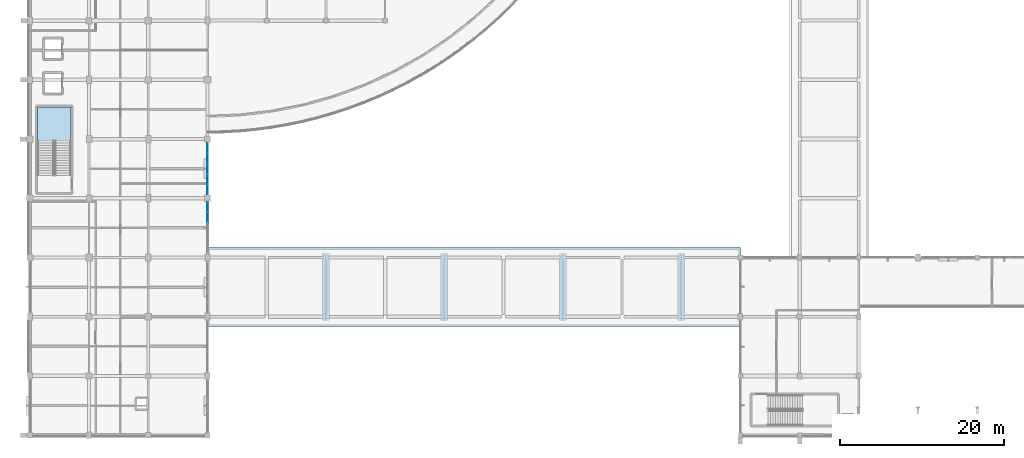
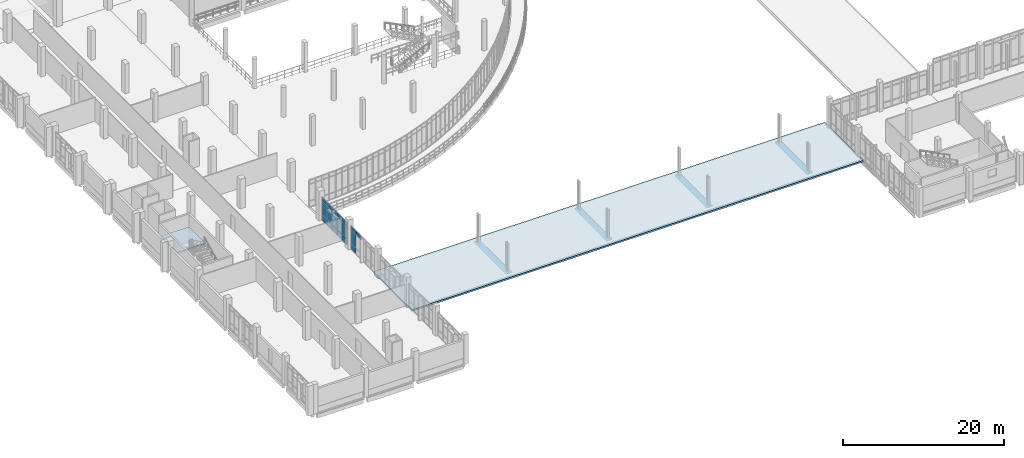
# One storey, part 93 of 134: 19 plates, 2 slabs, 3 elements without a shape of their own.
"""IFC4 building model written with IfcOpenShell, lengths in metres."""

from ifc_helpers import new_model, si_unit, direction, frame, origin, origin_2d, place, context, subcontext, project, spatial, polyline, rectangle, outline, extrude, material, layer, layer_set, type_object, element, aggregate, save


model = new_model("IFC4")

# Units and contexts
model_context = context("Model", 3, precision=1e-05, world=origin(), true_north=direction((0.0, 1.0)))
body_context = subcontext(model_context, "Body", "Model", "MODEL_VIEW")
ifc_project = project(units=[si_unit("LENGTHUNIT", "METRE"), si_unit("AREAUNIT", "SQUARE_METRE"), si_unit("VOLUMEUNIT", "CUBIC_METRE"), si_unit("PLANEANGLEUNIT", "RADIAN"), si_unit("MASSUNIT", "GRAM", prefix="KILO")], contexts=[model_context])

# Site, building, storey
site_placement = place(None, origin())
site = spatial("IfcSite", under=ifc_project, at=site_placement, CompositionType="ELEMENT")
building_placement = place(site_placement, origin())
building = spatial("IfcBuilding", under=site, at=building_placement, Name="Kalluvel Institute of Natural Sciences", CompositionType="ELEMENT")
storey_placement = place(building_placement, frame((0.0, 0.0, 5.39990234375)))
storey = spatial("IfcBuildingStorey", under=building, at=storey_placement, Name="L01", CompositionType="ELEMENT", Elevation=5.39990234375)

# Curtain wall, plates
ifc_material_1 = material(Name="Aluminium AW-6063 T6", Category="aluminium")
curtain_wall_type = type_object("IfcCurtainWallType", Name="CW-DRY-45", PredefinedType="USERDEFINED", material=ifc_material_1)
curtain_wall_1_placement = place(storey_placement, origin())
curtain_wall_1 = element("IfcCurtainWall", 1, at=curtain_wall_1_placement, inside=storey, type_object=curtain_wall_type, Name="L01 Gothic lancet curtain wall CWA-L01-X356-Y361", ObjectType="UNITISED LANCET FACADE", PredefinedType="USERDEFINED")
ifc_material_2 = material(Name="Solar-Control Low-E Laminated Glass", Category="glass")
ifc_layer_1 = layer(ifc_material_2, 0.031982421875)
ifc_layer_set_1 = layer_set([ifc_layer_1], Name="Solar-Control Low-E Laminated Glass")
plate_type = type_object("IfcPlateType", Name="CWP-DGU-32", PredefinedType="CURTAIN_PANEL", material=ifc_layer_set_1)
plate_1_placement = place(storey_placement, frame((35.60009765625, 40.492431640625, 3.00244140625), z_axis=(0.0, 0.0, 1.0), x_axis=(0.0, 1.0, 0.0)))
plate_1 = element("IfcPlate", 2, at=plate_1_placement, type_object=plate_type, Name="CW-03 panel 4.3", PredefinedType="CURTAIN_PANEL", context=body_context, shape_type="SweptSolid", body=[
    extrude(rectangle(XDim=1.18994140625, YDim=0.031982421875, at=origin_2d()), origin(), (0.0, 0.0, 1.0), 0.552490234375),
])
plate_2_placement = place(storey_placement, frame((35.60009765625, 41.731201171875, 0.065185546875), z_axis=(0.0, 0.0, 1.0), x_axis=(0.0, 1.0, 0.0)))
plate_2 = element("IfcPlate", 3, at=plate_2_placement, type_object=plate_type, Name="CW-03 panel 5.1", PredefinedType="CURTAIN_PANEL", context=body_context, shape_type="SweptSolid", body=[
    extrude(rectangle(XDim=1.157470703125, YDim=0.031982421875, at=origin_2d()), origin(), (0.0, 0.0, 1.0), 0.8525390625),
])
plate_3_placement = place(storey_placement, frame((35.60009765625, 41.731201171875, 0.982666015625), z_axis=(0.0, 0.0, 1.0), x_axis=(0.0, 1.0, 0.0)))
plate_3 = element("IfcPlate", 4, at=plate_3_placement, type_object=plate_type, Name="CW-03 panel 5.2", PredefinedType="CURTAIN_PANEL", context=body_context, shape_type="SweptSolid", body=[
    extrude(rectangle(XDim=1.157470703125, YDim=0.031982421875, at=origin_2d()), origin(), (0.0, 0.0, 1.0), 1.955078125),
])
plate_4_placement = place(storey_placement, frame((35.60009765625, 41.731201171875, 3.00244140625), z_axis=(0.0, 0.0, 1.0), x_axis=(0.0, 1.0, 0.0)))
plate_4 = element("IfcPlate", 5, at=plate_4_placement, type_object=plate_type, Name="CW-03 panel 5.3", PredefinedType="CURTAIN_PANEL", context=body_context, shape_type="SweptSolid", body=[
    extrude(rectangle(XDim=1.157470703125, YDim=0.031982421875, at=origin_2d()), origin(), (0.0, 0.0, 1.0), 0.552490234375),
])
aggregate(curtain_wall_1, [plate_1, plate_2, plate_3, plate_4])

curtain_wall_2_placement = place(storey_placement, origin())
curtain_wall_2 = element("IfcCurtainWall", 6, at=curtain_wall_2_placement, inside=storey, type_object=curtain_wall_type, Name="L01 Gothic lancet curtain wall CWA-L01-X356-Y432", ObjectType="UNITISED LANCET FACADE", PredefinedType="USERDEFINED")
plate_5_placement = place(storey_placement, frame((35.60009765625, 43.876220703125, 0.065185546875), z_axis=(0.0, 0.0, 1.0), x_axis=(0.0, 1.0, 0.0)))
plate_5 = element("IfcPlate", 7, at=plate_5_placement, type_object=plate_type, Name="CW-03 panel 1.1", PredefinedType="CURTAIN_PANEL", context=body_context, shape_type="SweptSolid", body=[
    extrude(rectangle(XDim=1.172607421875, YDim=0.031982421875, at=origin_2d()), origin(), (0.0, 0.0, 1.0), 0.8525390625),
])
plate_6_placement = place(storey_placement, frame((35.60009765625, 43.876220703125, 0.982666015625), z_axis=(0.0, 0.0, 1.0), x_axis=(0.0, 1.0, 0.0)))
plate_6 = element("IfcPlate", 8, at=plate_6_placement, type_object=plate_type, Name="CW-03 panel 1.2", PredefinedType="CURTAIN_PANEL", context=body_context, shape_type="SweptSolid", body=[
    extrude(rectangle(XDim=1.172607421875, YDim=0.031982421875, at=origin_2d()), origin(), (0.0, 0.0, 1.0), 1.955078125),
])
plate_7_placement = place(storey_placement, frame((35.60009765625, 43.876220703125, 3.00244140625), z_axis=(0.0, 0.0, 1.0), x_axis=(0.0, 1.0, 0.0)))
plate_7 = element("IfcPlate", 9, at=plate_7_placement, type_object=plate_type, Name="CW-03 panel 1.3", PredefinedType="CURTAIN_PANEL", context=body_context, shape_type="SweptSolid", body=[
    extrude(rectangle(XDim=1.172607421875, YDim=0.031982421875, at=origin_2d()), origin(), (0.0, 0.0, 1.0), 0.552490234375),
])
plate_8_placement = place(storey_placement, frame((35.60009765625, 45.1298828125, 0.065185546875), z_axis=(0.0, 0.0, 1.0), x_axis=(0.0, 1.0, 0.0)))
plate_8 = element("IfcPlate", 10, at=plate_8_placement, type_object=plate_type, Name="CW-03 panel 2.1", PredefinedType="CURTAIN_PANEL", context=body_context, shape_type="SweptSolid", body=[
    extrude(rectangle(XDim=1.205078125, YDim=0.031982421875, at=origin_2d()), origin(), (0.0, 0.0, 1.0), 0.8525390625),
])
plate_9_placement = place(storey_placement, frame((35.60009765625, 45.1298828125, 0.982666015625), z_axis=(0.0, 0.0, 1.0), x_axis=(0.0, 1.0, 0.0)))
plate_9 = element("IfcPlate", 11, at=plate_9_placement, type_object=plate_type, Name="CW-03 panel 2.2", PredefinedType="CURTAIN_PANEL", context=body_context, shape_type="SweptSolid", body=[
    extrude(rectangle(XDim=1.205078125, YDim=0.031982421875, at=origin_2d()), origin(), (0.0, 0.0, 1.0), 1.955078125),
])
plate_10_placement = place(storey_placement, frame((35.60009765625, 45.1298828125, 3.00244140625), z_axis=(0.0, 0.0, 1.0), x_axis=(0.0, 1.0, 0.0)))
plate_10 = element("IfcPlate", 12, at=plate_10_placement, type_object=plate_type, Name="CW-03 panel 2.3", PredefinedType="CURTAIN_PANEL", context=body_context, shape_type="SweptSolid", body=[
    extrude(rectangle(XDim=1.205078125, YDim=0.031982421875, at=origin_2d()), origin(), (0.0, 0.0, 1.0), 0.552490234375),
])
plate_11_placement = place(storey_placement, frame((35.60009765625, 46.39990234375, 0.065185546875), z_axis=(0.0, 0.0, 1.0), x_axis=(0.0, 1.0, 0.0)))
plate_11 = element("IfcPlate", 13, at=plate_11_placement, type_object=plate_type, Name="CW-03 panel 3.1", PredefinedType="CURTAIN_PANEL", context=body_context, shape_type="SweptSolid", body=[
    extrude(rectangle(XDim=1.205078125, YDim=0.031982421875, at=origin_2d()), origin(), (0.0, 0.0, 1.0), 0.8525390625),
])
plate_12_placement = place(storey_placement, frame((35.60009765625, 46.39990234375, 0.982666015625), z_axis=(0.0, 0.0, 1.0), x_axis=(0.0, 1.0, 0.0)))
plate_12 = element("IfcPlate", 14, at=plate_12_placement, type_object=plate_type, Name="CW-03 panel 3.2", PredefinedType="CURTAIN_PANEL", context=body_context, shape_type="SweptSolid", body=[
    extrude(rectangle(XDim=1.205078125, YDim=0.031982421875, at=origin_2d()), origin(), (0.0, 0.0, 1.0), 1.955078125),
])
plate_13_placement = place(storey_placement, frame((35.60009765625, 46.39990234375, 3.00244140625), z_axis=(0.0, 0.0, 1.0), x_axis=(0.0, 1.0, 0.0)))
plate_13 = element("IfcPlate", 15, at=plate_13_placement, type_object=plate_type, Name="CW-03 panel 3.3", PredefinedType="CURTAIN_PANEL", context=body_context, shape_type="SweptSolid", body=[
    extrude(rectangle(XDim=1.205078125, YDim=0.031982421875, at=origin_2d()), origin(), (0.0, 0.0, 1.0), 0.552490234375),
])
plate_14_placement = place(storey_placement, frame((35.60009765625, 47.669921875, 0.065185546875), z_axis=(0.0, 0.0, 1.0), x_axis=(0.0, 1.0, 0.0)))
plate_14 = element("IfcPlate", 16, at=plate_14_placement, type_object=plate_type, Name="CW-03 panel 4.1", PredefinedType="CURTAIN_PANEL", context=body_context, shape_type="SweptSolid", body=[
    extrude(rectangle(XDim=1.205078125, YDim=0.031982421875, at=origin_2d()), origin(), (0.0, 0.0, 1.0), 0.8525390625),
])
plate_15_placement = place(storey_placement, frame((35.60009765625, 47.669921875, 0.982666015625), z_axis=(0.0, 0.0, 1.0), x_axis=(0.0, 1.0, 0.0)))
plate_15 = element("IfcPlate", 17, at=plate_15_placement, type_object=plate_type, Name="CW-03 panel 4.2", PredefinedType="CURTAIN_PANEL", context=body_context, shape_type="SweptSolid", body=[
    extrude(rectangle(XDim=1.205078125, YDim=0.031982421875, at=origin_2d()), origin(), (0.0, 0.0, 1.0), 1.955078125),
])
plate_16_placement = place(storey_placement, frame((35.60009765625, 47.669921875, 3.00244140625), z_axis=(0.0, 0.0, 1.0), x_axis=(0.0, 1.0, 0.0)))
plate_16 = element("IfcPlate", 18, at=plate_16_placement, type_object=plate_type, Name="CW-03 panel 4.3", PredefinedType="CURTAIN_PANEL", context=body_context, shape_type="SweptSolid", body=[
    extrude(rectangle(XDim=1.205078125, YDim=0.031982421875, at=origin_2d()), origin(), (0.0, 0.0, 1.0), 0.552490234375),
])
plate_17_placement = place(storey_placement, frame((35.60009765625, 48.923828125, 0.065185546875), z_axis=(0.0, 0.0, 1.0), x_axis=(0.0, 1.0, 0.0)))
plate_17 = element("IfcPlate", 19, at=plate_17_placement, type_object=plate_type, Name="CW-03 panel 5.1", PredefinedType="CURTAIN_PANEL", context=body_context, shape_type="SweptSolid", body=[
    extrude(rectangle(XDim=1.172607421875, YDim=0.031982421875, at=origin_2d()), origin(), (0.0, 0.0, 1.0), 0.8525390625),
])
plate_18_placement = place(storey_placement, frame((35.60009765625, 48.923828125, 0.982666015625), z_axis=(0.0, 0.0, 1.0), x_axis=(0.0, 1.0, 0.0)))
plate_18 = element("IfcPlate", 20, at=plate_18_placement, type_object=plate_type, Name="CW-03 panel 5.2", PredefinedType="CURTAIN_PANEL", context=body_context, shape_type="SweptSolid", body=[
    extrude(rectangle(XDim=1.172607421875, YDim=0.031982421875, at=origin_2d()), origin(), (0.0, 0.0, 1.0), 1.955078125),
])
plate_19_placement = place(storey_placement, frame((35.60009765625, 48.923828125, 3.00244140625), z_axis=(0.0, 0.0, 1.0), x_axis=(0.0, 1.0, 0.0)))
plate_19 = element("IfcPlate", 21, at=plate_19_placement, type_object=plate_type, Name="CW-03 panel 5.3", PredefinedType="CURTAIN_PANEL", context=body_context, shape_type="SweptSolid", body=[
    extrude(rectangle(XDim=1.172607421875, YDim=0.031982421875, at=origin_2d()), origin(), (0.0, 0.0, 1.0), 0.552490234375),
])
aggregate(curtain_wall_2, [plate_5, plate_6, plate_7, plate_8, plate_9, plate_10, plate_11, plate_12, plate_13, plate_14, plate_15, plate_16, plate_17, plate_18, plate_19])

# Slab
ifc_material_3 = material(Name="Sadarahalli Granite Precast Concrete M45", Category="masonry")
ifc_layer_2 = layer(ifc_material_3, 0.239990234375)
ifc_layer_set_2 = layer_set([ifc_layer_2], Name="Sadarahalli Granite Precast Concrete M45")
slab_type_1 = type_object("IfcSlabType", Name="SLB-COL-240", PredefinedType="ROOF", material=ifc_layer_set_2)
slab_1_placement = place(storey_placement, frame((0.0, 0.0, -0.239990234375)))
element("IfcSlab", 22, at=slab_1_placement, inside=storey, type_object=slab_type_1, Name="Gothic Pointed-Lancet Cloister Monsoon Canopy 1", PredefinedType="ROOF", context=body_context, shape_type="SweptSolid", body=[
    extrude(outline(polyline([(35.60009765625, 27.199951171875), (100.39990234375, 27.199951171875), (100.39990234375, 36.800048828125), (35.60009765625, 36.800048828125), (35.60009765625, 27.199951171875)])), origin(), (0.0, 0.0, 1.0), 0.239990234375),
])

# Stair, slab
ifc_material_4 = material(Name="Concrete M40", Category="concrete")
stair_type = type_object("IfcStairType", Name="STR-ST4-45", PredefinedType="HALF_TURN_STAIR", material=ifc_material_4)
stair_placement = place(storey_placement, origin())
stair = element("IfcStair", 23, at=stair_placement, inside=storey, type_object=stair_type, Name="L01 Dry Wing Protected Exit Stair ST4", PredefinedType="HALF_TURN_STAIR")
ifc_layer_3 = layer(ifc_material_4, 0.199951171875)
ifc_layer_set_3 = layer_set([ifc_layer_3], Name="Concrete M40")
slab_type_2 = type_object("IfcSlabType", Name="SLD-ST4", PredefinedType="LANDING", material=ifc_layer_set_3)
slab_2_placement = place(storey_placement, frame((0.0, 0.0, 2.050048828125)))
slab_2 = element("IfcSlab", 24, at=slab_2_placement, type_object=slab_type_2, Name="S4-45 landing 1", PredefinedType="LANDING", context=body_context, shape_type="SweptSolid", body=[
    extrude(outline(polyline([(19.0, 49.781982421875), (19.0, 53.89990234375), (14.929931640625, 53.89990234375), (14.929931640625, 49.781982421875), (19.0, 49.781982421875)])), origin(), (0.0, 0.0, 1.0), 0.199951171875),
])
aggregate(stair, [slab_2])

save(model, "model.ifc")
